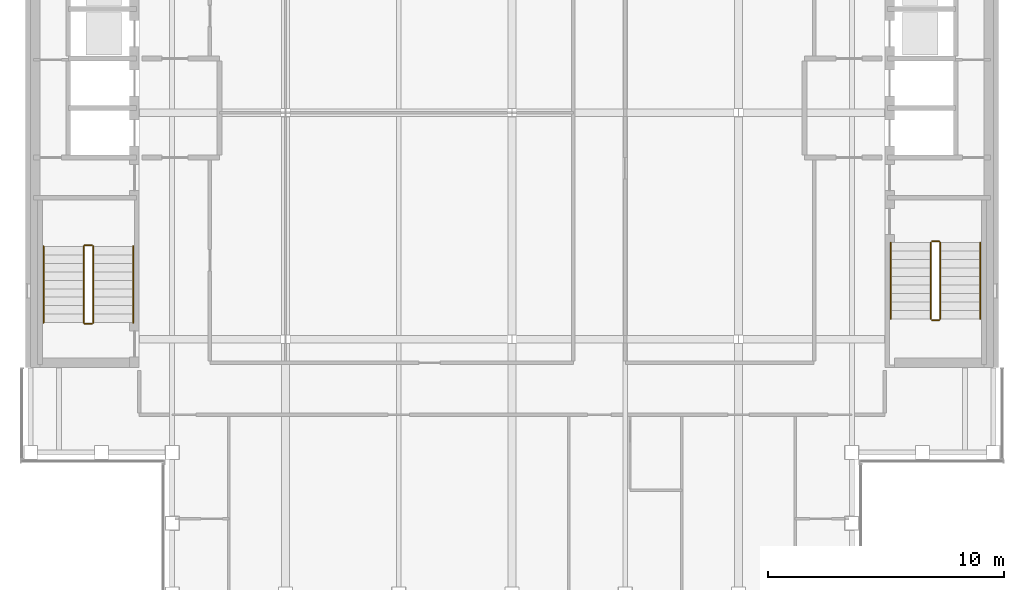
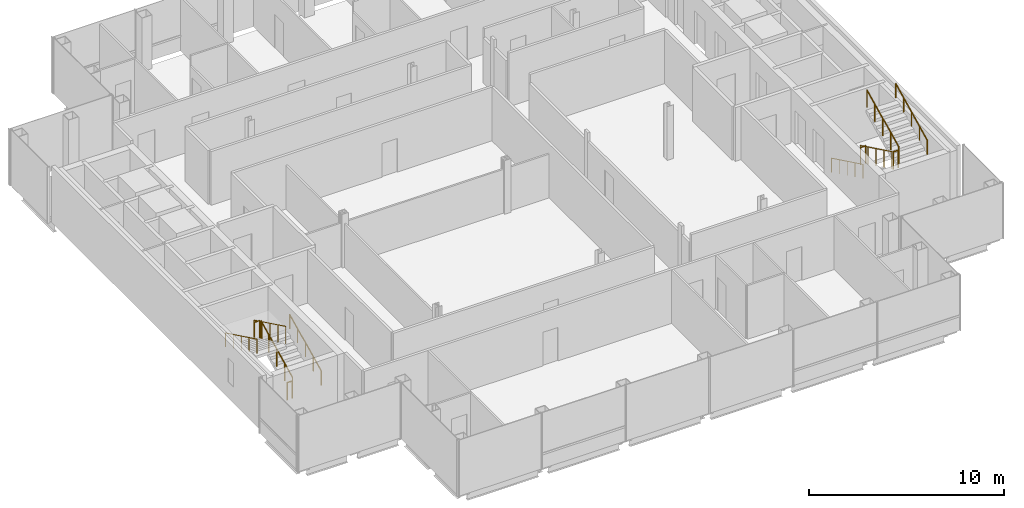
# One storey, part 14 of 15: 12 railings.
"""IFC4 building model written with IfcOpenShell, lengths in metres."""

import ifcopenshell
import ifcopenshell.guid

model = None  # the IFC model being written
_history = None  # IfcOwnerHistory: only IFC2X3 demands one
_inside = {}  # id of a spatial element -> (the spatial element, [elements in it])
_under = {}  # id of a project, library or spatial element -> (it, [spatial elements below it])
_declared = {}  # id of a project -> (the project, [libraries it declares])
_typed = {}  # id of a type object -> (the type object, [elements of that type])
_made_of = {}  # id of a material, layer set ... -> (it, [elements and type objects made of it])


def new_model(schema):
    """Start an empty IFC model of exactly this schema.

    Asked for "IFC4X3", IfcOpenShell would pick the latest addendum, in which some entities
    have other attributes; the version numbers below select the first issue.
    IFC2X3 requires an IfcOwnerHistory on every rooted entity: one is made here for all.
    """
    global model, _history
    if schema == "IFC4X3":
        model = ifcopenshell.file(schema_version=(4, 3, 0, 0))
    else:
        model = ifcopenshell.file(schema=schema)
    _inside.clear()
    _under.clear()
    _declared.clear()
    _typed.clear()
    _made_of.clear()
    _history = None
    if model.schema == "IFC2X3":
        org = make("IfcOrganization", Name="unknown")
        user = make(
            "IfcPersonAndOrganization",
            ThePerson=make("IfcPerson", FamilyName="unknown"),
            TheOrganization=org,
        )
        app = make(
            "IfcApplication",
            ApplicationDeveloper=org,
            Version="unknown",
            ApplicationFullName="unknown",
            ApplicationIdentifier="unknown",
        )
        _history = make(
            "IfcOwnerHistory",
            OwningUser=user,
            OwningApplication=app,
            ChangeAction="ADDED",
            CreationDate=0,
        )
    return model


def make(cls, **values):
    """One entity of the class cls with the attributes given. An attribute that is None is left unset."""
    return model.create_entity(
        cls, **{name: value for name, value in values.items() if value is not None}
    )


def rooted(cls, **values):
    """An entity with a GlobalId (a new one), such as an element, a storey or a relation."""
    return make(cls, GlobalId=ifcopenshell.guid.new(), OwnerHistory=_history, **values)


def si_unit(unit_type, name, prefix=None):
    """IfcSIUnit, for example si_unit("LENGTHUNIT", "METRE", prefix="MILLI")."""
    return make("IfcSIUnit", UnitType=unit_type, Prefix=prefix, Name=name)


def assignment(units):
    """IfcUnitAssignment: the units of a project."""
    return None if units is None else make("IfcUnitAssignment", Units=units)


def point(xyz):
    """IfcCartesianPoint."""
    return None if xyz is None else make("IfcCartesianPoint", Coordinates=xyz)


def direction(xyz):
    """IfcDirection."""
    return None if xyz is None else make("IfcDirection", DirectionRatios=xyz)


def frame(location, z_axis=None, x_axis=None):
    """IfcAxis2Placement3D, a coordinate frame: its origin and axes. An axis left out is left unset."""
    return make(
        "IfcAxis2Placement3D",
        Location=point(location),
        Axis=direction(z_axis),
        RefDirection=direction(x_axis),
    )


def frame_2d(location, x_axis=None):
    """IfcAxis2Placement2D, a coordinate frame in the plane: its origin and x axis."""
    return make(
        "IfcAxis2Placement2D", Location=point(location), RefDirection=direction(x_axis)
    )


def origin():
    """The frame at (0, 0, 0) with its axes left unset."""
    return frame((0.0, 0.0, 0.0))


def origin_2d():
    """The frame at (0, 0) in the plane with its x axis left unset."""
    return frame_2d((0.0, 0.0))


def place(relative_to, where):
    """IfcLocalPlacement: puts the frame where relative to a parent placement (None: the world)."""
    return make(
        "IfcLocalPlacement", PlacementRelTo=relative_to, RelativePlacement=where
    )


def context(
    kind, dimensions, precision=None, world=None, true_north=None, identifier=None
):
    """IfcGeometricRepresentationContext, for example the 3D "Model" context."""
    return make(
        "IfcGeometricRepresentationContext",
        ContextIdentifier=identifier,
        ContextType=kind,
        CoordinateSpaceDimension=dimensions,
        Precision=precision,
        WorldCoordinateSystem=world,
        TrueNorth=true_north,
    )


def subcontext(parent, identifier, kind, view, scale=None):
    """IfcGeometricRepresentationSubContext, for example "Body" below "Model"."""
    return make(
        "IfcGeometricRepresentationSubContext",
        ContextIdentifier=identifier,
        ContextType=kind,
        ParentContext=parent,
        TargetScale=scale,
        TargetView=view,
    )


def project(units=None, contexts=None):
    """IfcProject with its units and contexts."""
    return rooted(
        "IfcProject",
        Name="project",
        RepresentationContexts=contexts,
        UnitsInContext=assignment(units),
    )


def spatial(cls, under=None, at=None, **own):
    """A site, building, storey or space (cls), placed at a placement, below another one or the project."""
    s = rooted(cls, ObjectPlacement=at, **own)
    if under is not None:
        _under.setdefault(under.id(), (under, []))[1].append(s)
    return s


def profile(cls, at=None, kind="AREA", **sizes):
    """A parametric profile (cls). Its sizes go by their IFC names, for example OverallWidth=200.0."""
    return make(cls, ProfileType=kind, Position=at, **sizes)


def circle(**sizes):
    """IfcCircleProfileDef."""
    return profile("IfcCircleProfileDef", **sizes)


def extrude(swept, where, along, depth):
    """IfcExtrudedAreaSolid: the profile swept, set in the frame where, extruded along a direction by depth."""
    return make(
        "IfcExtrudedAreaSolid",
        SweptArea=swept,
        Position=where,
        ExtrudedDirection=direction(along),
        Depth=depth,
    )


def shape(context_of_items, identifier, shape_type, items):
    """IfcShapeRepresentation: the items that make up one representation, for example the "Body"."""
    return make(
        "IfcShapeRepresentation",
        ContextOfItems=context_of_items,
        RepresentationIdentifier=identifier,
        RepresentationType=shape_type,
        Items=items,
    )


def material(Name=None, Category=None):
    """IfcMaterial."""
    return make("IfcMaterial", Name=Name, Category=Category)


def made_of(thing, what):
    """Note that an element or type object is made of a material, layer set ...; save() writes the relation."""
    if what is not None:
        _made_of.setdefault(what.id(), (what, []))[1].append(thing)
    return thing


def type_object(cls, material=None, **own):
    """A type object (cls), such as IfcWallType, which elements share."""
    return made_of(rooted(cls, **own), material)


def element(
    cls,
    number,
    at=None,
    inside=None,
    cuts=None,
    type_object=None,
    material=None,
    context=None,
    identifier="Body",
    shape_type=None,
    held_by="IfcProductDefinitionShape",
    body=None,
    shapes=None,
    **own,
):
    """One element of the class cls, such as IfcWall. Its Tag is "e" and its number.

    at: its placement. inside: the storey or other place that contains it. cuts: it is an
    opening in that element (IfcRelVoidsElement). A single representation is given by context,
    identifier, shape_type and body (its items); several are given by shapes. held_by: the class
    of the entity that holds the representations. save() writes the other relations.
    """
    e = rooted(cls, Tag="e%d" % number, ObjectPlacement=at, **own)
    if body is not None:
        shapes = [shape(context, identifier, shape_type, body)]
    if shapes is not None:
        e.Representation = make(held_by, Representations=shapes)
    if inside is not None:
        _inside.setdefault(inside.id(), (inside, []))[1].append(e)
    if cuts is not None:
        rooted(
            "IfcRelVoidsElement", RelatingBuildingElement=cuts, RelatedOpeningElement=e
        )
    if type_object is not None:
        _typed.setdefault(type_object.id(), (type_object, []))[1].append(e)
    return made_of(e, material)


def aggregate(whole, parts):
    """IfcRelAggregates: a whole, such as a stair, and the parts it consists of."""
    return rooted("IfcRelAggregates", RelatingObject=whole, RelatedObjects=parts)


def save(model, path):
    """Write the relations noted so far, then the file.

    IfcRelAggregates (storeys below a building ...), IfcRelContainedInSpatialStructure (elements
    in a storey), IfcRelDefinesByType, IfcRelAssociatesMaterial and IfcRelDeclares: one each for
    every whole, place, type object, material and project.
    """
    for whole, parts in _under.values():
        aggregate(whole, parts)
    for where, things in _inside.values():
        rooted(
            "IfcRelContainedInSpatialStructure",
            RelatedElements=things,
            RelatingStructure=where,
        )
    for kind, things in _typed.values():
        rooted("IfcRelDefinesByType", RelatedObjects=things, RelatingType=kind)
    for what, things in _made_of.values():
        rooted("IfcRelAssociatesMaterial", RelatedObjects=things, RelatingMaterial=what)
    for by, libraries in _declared.values():
        rooted("IfcRelDeclares", RelatingContext=by, RelatedDefinitions=libraries)
    model.write(path)


model = new_model("IFC4")

# Units and contexts
model_context = context("Model", 3, precision=1e-05, world=origin(), true_north=direction((0.0, 1.0)))
body_context = subcontext(model_context, "Body", "Model", "MODEL_VIEW")
ifc_project = project(units=[si_unit("LENGTHUNIT", "METRE"), si_unit("AREAUNIT", "SQUARE_METRE"), si_unit("VOLUMEUNIT", "CUBIC_METRE"), si_unit("PLANEANGLEUNIT", "RADIAN"), si_unit("MASSUNIT", "GRAM", prefix="KILO")], contexts=[model_context])

# Site, building, storey
site_placement = place(None, origin())
site = spatial("IfcSite", under=ifc_project, at=site_placement, CompositionType="ELEMENT")
building_placement = place(site_placement, origin())
building = spatial("IfcBuilding", under=site, at=building_placement, Name="Cobrizo Arcos Hotel Tower", CompositionType="ELEMENT")
storey_placement = place(building_placement, frame((0.0, 0.0, 251.5)))
storey = spatial("IfcBuildingStorey", under=building, at=storey_placement, Name="L66", CompositionType="ELEMENT", Elevation=251.5)

# Railings
ifc_material = material(Name="Stainless steel railing", Category="steel")
railing_type_1 = type_object("IfcRailingType", Name="Stair guard 1100", PredefinedType="GUARDRAIL", material=ifc_material)
railing_1_placement = place(storey_placement, frame((-17.75, -8.89990234375, 0.175048828125)))
element("IfcRailing", 1, at=railing_1_placement, inside=storey, type_object=railing_type_1, Name="L66 ST-W stair guard 1", PredefinedType="GUARDRAIL", context=body_context, shape_type="SweptSolid", body=[
    extrude(circle(Radius=0.02392578125, at=origin_2d()), frame((0.0, 0.0, 1.076171875), z_axis=(0.0, 0.899372665325, 0.437182809435), x_axis=(-1.0, 0.0, 0.0)), (0.0, 0.0, 1.0), 3.6025390625),
    extrude(circle(Radius=0.02099609375, at=origin_2d()), origin(), (0.0, 0.0, 1.0), 1.052001953125),
    extrude(circle(Radius=0.02099609375, at=origin_2d()), frame((0.0, 0.81005859375, 0.393798828125)), (0.0, 0.0, 1.0), 1.052001953125),
    extrude(circle(Radius=0.02099609375, at=origin_2d()), frame((0.0, 1.6201171875, 0.78759765625)), (0.0, 0.0, 1.0), 1.052001953125),
    extrude(circle(Radius=0.02099609375, at=origin_2d()), frame((0.0, 2.429931640625, 1.18115234375)), (0.0, 0.0, 1.0), 1.052001953125),
    extrude(circle(Radius=0.02099609375, at=origin_2d()), frame((0.0, 3.239990234375, 1.574951171875)), (0.0, 0.0, 1.0), 1.052001953125),
])
railing_2_placement = place(storey_placement, frame((-17.800048828125, -5.610107421875, 1.75)))
element("IfcRailing", 2, at=railing_2_placement, inside=storey, type_object=railing_type_1, Name="L66 ST-W stair guard 2", PredefinedType="GUARDRAIL", context=body_context, shape_type="SweptSolid", body=[
    extrude(circle(Radius=0.02392578125, at=origin_2d()), frame((0.0, 0.0, 1.076171875), z_axis=(-1.0, 0.0, 0.0), x_axis=(0.0, -1.0, 0.0)), (0.0, 0.0, 1.0), 0.300048828125),
    extrude(circle(Radius=0.02099609375, at=origin_2d()), origin(), (0.0, 0.0, 1.0), 1.052001953125),
    extrude(circle(Radius=0.02099609375, at=origin_2d()), frame((-0.300048828125, 0.0, 0.0)), (0.0, 0.0, 1.0), 1.052001953125),
])
railing_3_placement = place(storey_placement, frame((-18.14990234375, -5.659912109375, 1.925048828125)))
element("IfcRailing", 3, at=railing_3_placement, inside=storey, type_object=railing_type_1, Name="L66 ST-W stair guard 3", PredefinedType="GUARDRAIL", context=body_context, shape_type="SweptSolid", body=[
    extrude(circle(Radius=0.02392578125, at=origin_2d()), frame((0.0, 0.0, 1.076171875), z_axis=(0.0, -0.899372665325, 0.437182809435), x_axis=(1.0, 0.0, 0.0)), (0.0, 0.0, 1.0), 3.6025390625),
    extrude(circle(Radius=0.02099609375, at=origin_2d()), origin(), (0.0, 0.0, 1.0), 1.052001953125),
    extrude(circle(Radius=0.02099609375, at=origin_2d()), frame((0.0, -0.81005859375, 0.393798828125)), (0.0, 0.0, 1.0), 1.052001953125),
    extrude(circle(Radius=0.02099609375, at=origin_2d()), frame((0.0, -1.6201171875, 0.78759765625)), (0.0, 0.0, 1.0), 1.052001953125),
    extrude(circle(Radius=0.02099609375, at=origin_2d()), frame((0.0, -2.429931640625, 1.18115234375)), (0.0, 0.0, 1.0), 1.052001953125),
    extrude(circle(Radius=0.02099609375, at=origin_2d()), frame((0.0, -3.239990234375, 1.574951171875)), (0.0, 0.0, 1.0), 1.052001953125),
])
railing_4_placement = place(storey_placement, frame((-17.800048828125, -8.949951171875, 0.0)))
element("IfcRailing", 4, at=railing_4_placement, inside=storey, type_object=railing_type_1, Name="L66 ST-W stair guard 4", PredefinedType="GUARDRAIL", context=body_context, shape_type="SweptSolid", body=[
    extrude(circle(Radius=0.02392578125, at=origin_2d()), frame((0.0, 0.0, 1.076171875), z_axis=(-1.0, 0.0, 0.0), x_axis=(0.0, -1.0, 0.0)), (0.0, 0.0, 1.0), 0.300048828125),
    extrude(circle(Radius=0.02099609375, at=origin_2d()), origin(), (0.0, 0.0, 1.0), 1.052001953125),
    extrude(circle(Radius=0.02099609375, at=origin_2d()), frame((-0.300048828125, 0.0, 0.0)), (0.0, 0.0, 1.0), 1.052001953125),
])
railing_5_placement = place(storey_placement, frame((17.75, -5.5, 0.175048828125)))
element("IfcRailing", 5, at=railing_5_placement, inside=storey, type_object=railing_type_1, Name="L66 ST-E stair guard 1", PredefinedType="GUARDRAIL", context=body_context, shape_type="SweptSolid", body=[
    extrude(circle(Radius=0.02392578125, at=origin_2d()), frame((0.0, 0.0, 1.076171875), z_axis=(0.0, -0.899372665325, 0.437182809435), x_axis=(1.0, 0.0, 0.0)), (0.0, 0.0, 1.0), 3.6025390625),
    extrude(circle(Radius=0.02099609375, at=origin_2d()), origin(), (0.0, 0.0, 1.0), 1.052001953125),
    extrude(circle(Radius=0.02099609375, at=origin_2d()), frame((0.0, -0.81005859375, 0.393798828125)), (0.0, 0.0, 1.0), 1.052001953125),
    extrude(circle(Radius=0.02099609375, at=origin_2d()), frame((0.0, -1.6201171875, 0.78759765625)), (0.0, 0.0, 1.0), 1.052001953125),
    extrude(circle(Radius=0.02099609375, at=origin_2d()), frame((0.0, -2.429931640625, 1.18115234375)), (0.0, 0.0, 1.0), 1.052001953125),
    extrude(circle(Radius=0.02099609375, at=origin_2d()), frame((0.0, -3.239990234375, 1.574951171875)), (0.0, 0.0, 1.0), 1.052001953125),
])
railing_6_placement = place(storey_placement, frame((17.800048828125, -8.7900390625, 1.75)))
element("IfcRailing", 6, at=railing_6_placement, inside=storey, type_object=railing_type_1, Name="L66 ST-E stair guard 2", PredefinedType="GUARDRAIL", context=body_context, shape_type="SweptSolid", body=[
    extrude(circle(Radius=0.02392578125, at=origin_2d()), frame((0.0, 0.0, 1.076171875), z_axis=(1.0, 0.0, 0.0), x_axis=(0.0, 1.0, 0.0)), (0.0, 0.0, 1.0), 0.300048828125),
    extrude(circle(Radius=0.02099609375, at=origin_2d()), origin(), (0.0, 0.0, 1.0), 1.052001953125),
    extrude(circle(Radius=0.02099609375, at=origin_2d()), frame((0.300048828125, 0.0, 0.0)), (0.0, 0.0, 1.0), 1.052001953125),
])
railing_7_placement = place(storey_placement, frame((18.14990234375, -8.739990234375, 1.925048828125)))
element("IfcRailing", 7, at=railing_7_placement, inside=storey, type_object=railing_type_1, Name="L66 ST-E stair guard 3", PredefinedType="GUARDRAIL", context=body_context, shape_type="SweptSolid", body=[
    extrude(circle(Radius=0.02392578125, at=origin_2d()), frame((0.0, 0.0, 1.076171875), z_axis=(0.0, 0.899372665325, 0.437182809435), x_axis=(-1.0, 0.0, 0.0)), (0.0, 0.0, 1.0), 3.6025390625),
    extrude(circle(Radius=0.02099609375, at=origin_2d()), origin(), (0.0, 0.0, 1.0), 1.052001953125),
    extrude(circle(Radius=0.02099609375, at=origin_2d()), frame((0.0, 0.81005859375, 0.393798828125)), (0.0, 0.0, 1.0), 1.052001953125),
    extrude(circle(Radius=0.02099609375, at=origin_2d()), frame((0.0, 1.6201171875, 0.78759765625)), (0.0, 0.0, 1.0), 1.052001953125),
    extrude(circle(Radius=0.02099609375, at=origin_2d()), frame((0.0, 2.429931640625, 1.18115234375)), (0.0, 0.0, 1.0), 1.052001953125),
    extrude(circle(Radius=0.02099609375, at=origin_2d()), frame((0.0, 3.239990234375, 1.574951171875)), (0.0, 0.0, 1.0), 1.052001953125),
])
railing_8_placement = place(storey_placement, frame((17.800048828125, -5.449951171875, 0.0)))
element("IfcRailing", 8, at=railing_8_placement, inside=storey, type_object=railing_type_1, Name="L66 ST-E stair guard 4", PredefinedType="GUARDRAIL", context=body_context, shape_type="SweptSolid", body=[
    extrude(circle(Radius=0.02392578125, at=origin_2d()), frame((0.0, 0.0, 1.076171875), z_axis=(1.0, 0.0, 0.0), x_axis=(0.0, 1.0, 0.0)), (0.0, 0.0, 1.0), 0.300048828125),
    extrude(circle(Radius=0.02099609375, at=origin_2d()), origin(), (0.0, 0.0, 1.0), 1.052001953125),
    extrude(circle(Radius=0.02099609375, at=origin_2d()), frame((0.300048828125, 0.0, 0.0)), (0.0, 0.0, 1.0), 1.052001953125),
])
railing_type_2 = type_object("IfcRailingType", Name="Stair handrail", PredefinedType="HANDRAIL", material=ifc_material)
railing_9_placement = place(storey_placement, frame((-16.050048828125, -8.89990234375, 0.175048828125)))
element("IfcRailing", 9, at=railing_9_placement, inside=storey, type_object=railing_type_2, Name="L66 ST-W stair handrail 1", PredefinedType="HANDRAIL", context=body_context, shape_type="SweptSolid", body=[
    extrude(circle(Radius=0.02392578125, at=origin_2d()), frame((0.0, 0.0, 0.8759765625), z_axis=(0.0, 0.899372665325, 0.437182809435), x_axis=(-1.0, 0.0, 0.0)), (0.0, 0.0, 1.0), 3.6025390625),
    extrude(circle(Radius=0.02099609375, at=origin_2d()), origin(), (0.0, 0.0, 1.0), 0.851806640625),
    extrude(circle(Radius=0.02099609375, at=origin_2d()), frame((0.0, 0.81005859375, 0.393798828125)), (0.0, 0.0, 1.0), 0.851806640625),
    extrude(circle(Radius=0.02099609375, at=origin_2d()), frame((0.0, 1.6201171875, 0.78759765625)), (0.0, 0.0, 1.0), 0.851806640625),
    extrude(circle(Radius=0.02099609375, at=origin_2d()), frame((0.0, 2.429931640625, 1.18115234375)), (0.0, 0.0, 1.0), 0.851806640625),
    extrude(circle(Radius=0.02099609375, at=origin_2d()), frame((0.0, 3.239990234375, 1.574951171875)), (0.0, 0.0, 1.0), 0.851806640625),
])
for number, where, name in (
    (10, (-19.85009765625, -5.659912109375, 1.925048828125), "L66 ST-W stair handrail 2"),
    (11, (16.050048828125, -5.5, 0.175048828125), "L66 ST-E stair handrail 1"),
):
    element("IfcRailing", number, at=place(storey_placement, frame(where)), inside=storey, type_object=railing_type_2, Name=name, PredefinedType="HANDRAIL", context=body_context, shape_type="SweptSolid", body=[
        extrude(circle(Radius=0.02392578125, at=origin_2d()), frame((0.0, 0.0, 0.8759765625), z_axis=(0.0, -0.899372665325, 0.437182809435), x_axis=(1.0, 0.0, 0.0)), (0.0, 0.0, 1.0), 3.6025390625),
        extrude(circle(Radius=0.02099609375, at=origin_2d()), origin(), (0.0, 0.0, 1.0), 0.851806640625),
        extrude(circle(Radius=0.02099609375, at=origin_2d()), frame((0.0, -0.81005859375, 0.393798828125)), (0.0, 0.0, 1.0), 0.851806640625),
        extrude(circle(Radius=0.02099609375, at=origin_2d()), frame((0.0, -1.6201171875, 0.78759765625)), (0.0, 0.0, 1.0), 0.851806640625),
        extrude(circle(Radius=0.02099609375, at=origin_2d()), frame((0.0, -2.429931640625, 1.18115234375)), (0.0, 0.0, 1.0), 0.851806640625),
        extrude(circle(Radius=0.02099609375, at=origin_2d()), frame((0.0, -3.239990234375, 1.574951171875)), (0.0, 0.0, 1.0), 0.851806640625),
    ])
railing_10_placement = place(storey_placement, frame((19.85009765625, -8.739990234375, 1.925048828125)))
element("IfcRailing", 12, at=railing_10_placement, inside=storey, type_object=railing_type_2, Name="L66 ST-E stair handrail 2", PredefinedType="HANDRAIL", context=body_context, shape_type="SweptSolid", body=[
    extrude(circle(Radius=0.02392578125, at=origin_2d()), frame((0.0, 0.0, 0.8759765625), z_axis=(0.0, 0.899372665325, 0.437182809435), x_axis=(-1.0, 0.0, 0.0)), (0.0, 0.0, 1.0), 3.6025390625),
    extrude(circle(Radius=0.02099609375, at=origin_2d()), origin(), (0.0, 0.0, 1.0), 0.851806640625),
    extrude(circle(Radius=0.02099609375, at=origin_2d()), frame((0.0, 0.81005859375, 0.393798828125)), (0.0, 0.0, 1.0), 0.851806640625),
    extrude(circle(Radius=0.02099609375, at=origin_2d()), frame((0.0, 1.6201171875, 0.78759765625)), (0.0, 0.0, 1.0), 0.851806640625),
    extrude(circle(Radius=0.02099609375, at=origin_2d()), frame((0.0, 2.429931640625, 1.18115234375)), (0.0, 0.0, 1.0), 0.851806640625),
    extrude(circle(Radius=0.02099609375, at=origin_2d()), frame((0.0, 3.239990234375, 1.574951171875)), (0.0, 0.0, 1.0), 0.851806640625),
])

save(model, "model.ifc")
